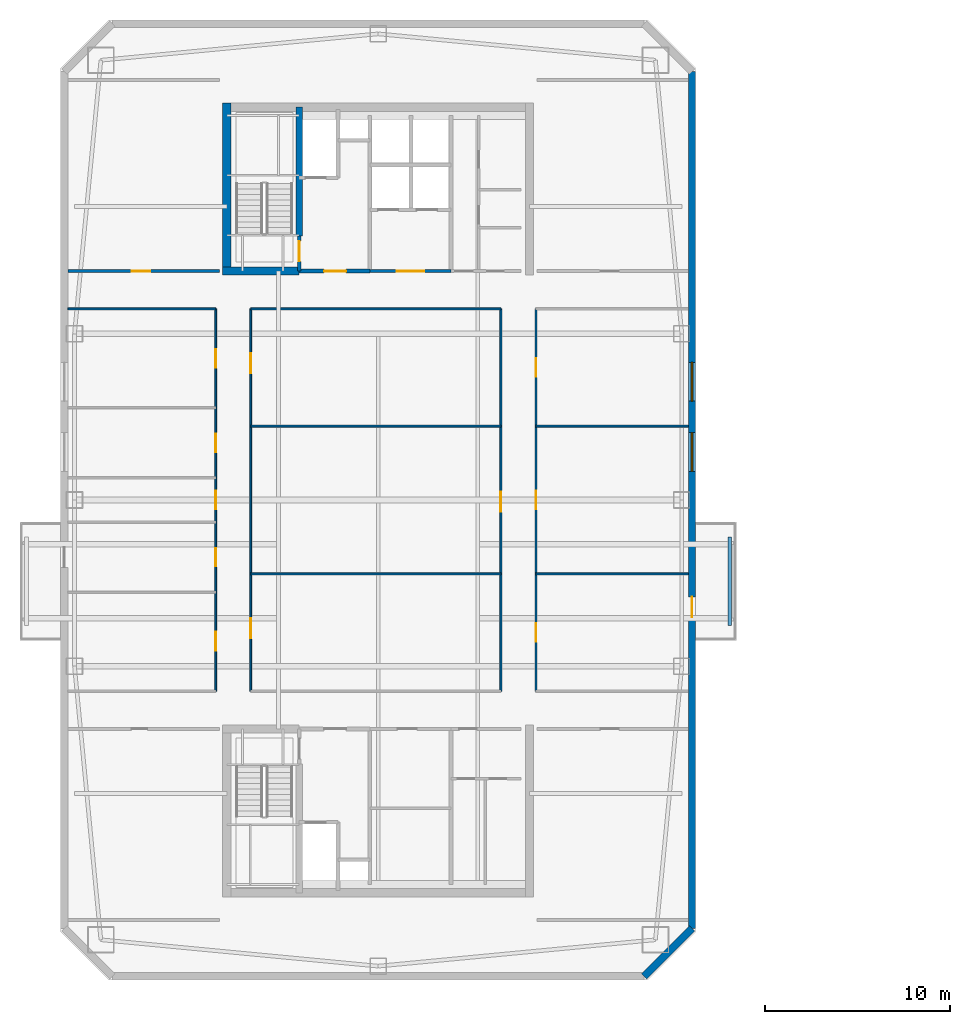
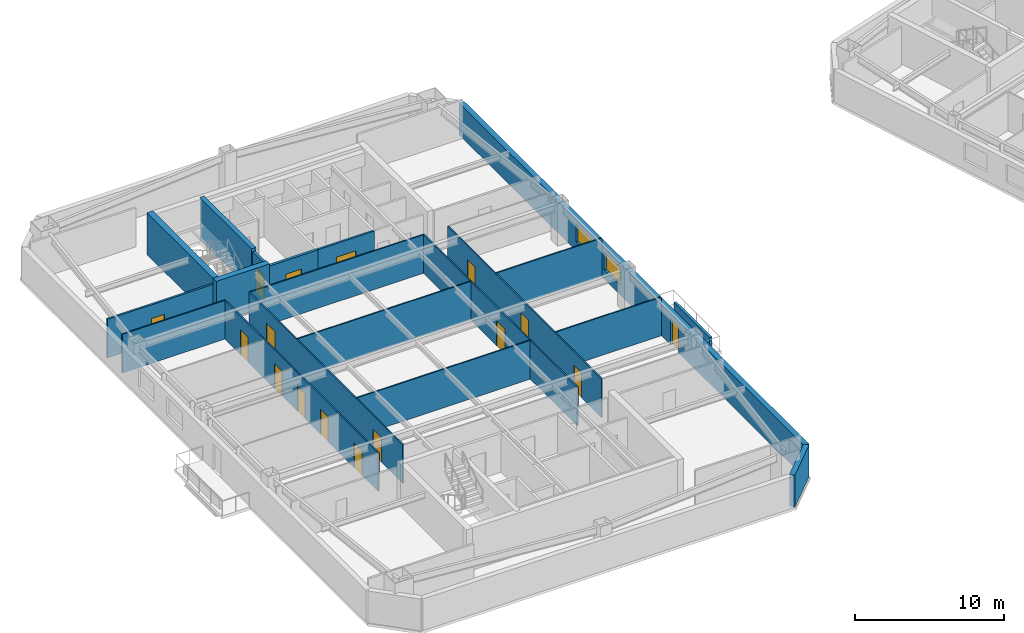
# One storey, part 6 of 15: 20 walls, 16 doors, 2 windows, 18 openings.
"""IFC4 building model written with IfcOpenShell, lengths in metres."""

from ifc_helpers import new_model, si_unit, direction, frame, frame_2d, origin, place, context, subcontext, project, spatial, rectangle, extrude, material, layer, layer_set, type_object, element, fill, save


model = new_model("IFC4")

# Units and contexts
model_context = context("Model", 3, precision=1e-05, world=origin(), true_north=direction((0.0, 1.0)))
body_context = subcontext(model_context, "Body", "Model", "MODEL_VIEW")
ifc_project = project(units=[si_unit("LENGTHUNIT", "METRE"), si_unit("AREAUNIT", "SQUARE_METRE"), si_unit("VOLUMEUNIT", "CUBIC_METRE"), si_unit("PLANEANGLEUNIT", "RADIAN"), si_unit("MASSUNIT", "GRAM", prefix="KILO")], contexts=[model_context])

# Site, building, storey
site_placement = place(None, origin())
site = spatial("IfcSite", under=ifc_project, at=site_placement, CompositionType="ELEMENT")
building_placement = place(site_placement, origin())
building = spatial("IfcBuilding", under=site, at=building_placement, Name="Qiaolan Cultural Towers", CompositionType="ELEMENT")
storey_placement = place(building_placement, frame((0.0, 0.0, 209.300048828125)))
storey = spatial("IfcBuildingStorey", under=building, at=storey_placement, Name="L56", CompositionType="ELEMENT", Elevation=209.300048828125)

# Walls
ifc_material_1 = material(Name="Concrete C50", Category="concrete")
ifc_layer_1 = layer(ifc_material_1, 0.35009765625)
ifc_layer_set_1 = layer_set([ifc_layer_1], Name="Concrete C50")
wall_type_1 = type_object("IfcWallType", Name="WL-CORE-350", PredefinedType="SHEAR", material=ifc_layer_set_1)
wall_1_placement = place(storey_placement, frame((25.719970703125, 48.300048828125, 0.0), z_axis=(0.0, 0.0, 1.0), x_axis=(0.0, 1.0, 0.0)))
element("IfcWall", 1, at=wall_1_placement, inside=storey, type_object=wall_type_1, Name="L56 T1-CN Stair Core Dividing Web", PredefinedType="SHEAR", context=body_context, shape_type="SweptSolid", body=[
    extrude(rectangle(XDim=6.97998046875, YDim=0.35009765625, at=frame_2d((3.489990234375, 0.0))), origin(), (0.0, 0.0, 1.0), 3.449951171875),
])
ifc_material_2 = material(Name="Concrete C50", Category="concrete")
ifc_layer_2 = layer(ifc_material_2, 0.449951171875)
ifc_layer_set_2 = layer_set([ifc_layer_2], Name="Concrete C50")
wall_type_2 = type_object("IfcWallType", Name="WL-CORE-450", PredefinedType="SHEAR", material=ifc_layer_set_2)
wall_2_placement = place(storey_placement, frame((21.800048828125, 46.175048828125, 0.0), z_axis=(0.0, 0.0, 1.0), x_axis=(0.0, 1.0, 0.0)))
element("IfcWall", 2, at=wall_2_placement, inside=storey, type_object=wall_type_2, Name="L56 T1-CN West Core Shear Wall", PredefinedType="SHEAR", context=body_context, shape_type="SweptSolid", body=[
    extrude(rectangle(XDim=9.329833984375, YDim=0.449951171875, at=frame_2d((4.6650390625, 0.0))), origin(), (0.0, 0.0, 1.0), 3.449951171875),
])
wall_3_placement = place(storey_placement, frame((21.574951171875, 46.39990234375, 0.0), z_axis=(0.0, 0.0, 1.0), x_axis=(1.0, 0.0, 0.0)))
element("IfcWall", 3, at=wall_3_placement, inside=storey, type_object=wall_type_2, Name="L56 T1-CN Stair Front Shear Wall", PredefinedType="SHEAR", context=body_context, shape_type="SweptSolid", body=[
    extrude(rectangle(XDim=4.14501953125, YDim=0.449951171875, at=frame_2d((2.072509765625, 0.0))), origin(), (0.0, 0.0, 1.0), 3.449951171875),
])

# Wall, openings, door, windows
ifc_material_3 = material(Name="Precast Concrete C50 Honed Stone Pier", Category="masonry")
ifc_layer_3 = layer(ifc_material_3, 0.39990234375)
ifc_layer_set_3 = layer_set([ifc_layer_3], Name="Precast Concrete C50 Honed Stone Pier")
wall_type_3 = type_object("IfcWallType", Name="WL-EXT-PIER-400", PredefinedType="SOLIDWALL", material=ifc_layer_set_3)
wall_4_placement = place(storey_placement, frame((47.0, 57.199951171875, 0.0), z_axis=(0.0, 0.0, 1.0), x_axis=(0.0, -1.0, 0.0)))
wall_4 = element("IfcWall", 4, at=wall_4_placement, inside=storey, type_object=wall_type_3, Name="L56 West Tower Precast Pier Facade Wall F5", PredefinedType="SOLIDWALL", context=body_context, shape_type="SweptSolid", body=[
    extrude(rectangle(XDim=46.39990234375, YDim=0.39990234375, at=frame_2d((23.199951171875, 0.0))), origin(), (0.0, 0.0, 1.0), 2.60986328125),
])
opening_1_placement = place(wall_4_placement, frame((19.550048828125, 0.0, 0.75)))
opening_1 = element("IfcOpeningElement", 5, at=opening_1_placement, cuts=wall_4, Name="Opening W-05", PredefinedType="OPENING", context=body_context, shape_type="SweptSolid", body=[
    extrude(rectangle(XDim=2.10009765625, YDim=1.4599609375, at=frame_2d((1.050048828125, 0.72998046875))), frame((0.0, 0.2099609375, 0.0), z_axis=(0.0, -1.0, 0.0), x_axis=(1.0, 0.0, 0.0)), (0.0, 0.0, 1.0), 0.419921875),
])
opening_2_placement = place(wall_4_placement, frame((15.75, 0.0, 0.75)))
opening_2 = element("IfcOpeningElement", 6, at=opening_2_placement, cuts=wall_4, Name="Opening W-05", PredefinedType="OPENING", context=body_context, shape_type="SweptSolid", body=[
    extrude(rectangle(XDim=2.10009765625, YDim=1.4599609375, at=frame_2d((1.050048828125, 0.72998046875))), frame((0.0, 0.2099609375, 0.0), z_axis=(0.0, -1.0, 0.0), x_axis=(1.0, 0.0, 0.0)), (0.0, 0.0, 1.0), 0.419921875),
])
opening_3_placement = place(wall_4_placement, frame((28.449951171875, 0.0, 0.0)))
opening_3 = element("IfcOpeningElement", 7, at=opening_3_placement, cuts=wall_4, Name="Opening BD-01", PredefinedType="OPENING", context=body_context, shape_type="SweptSolid", body=[
    extrude(rectangle(XDim=1.10009765625, YDim=2.14990234375, at=frame_2d((0.550048828125, 1.074951171875))), frame((0.0, 0.2099609375, 0.0), z_axis=(0.0, -1.0, 0.0), x_axis=(1.0, 0.0, 0.0)), (0.0, 0.0, 1.0), 0.419921875),
])
ifc_material_4 = material(Name="Thermally Broken Aluminium Glazed Terrace Door", Category="aluminium")
door_type_1 = type_object("IfcDoorType", Name="DR-BAL-1100", OperationType="NOTDEFINED", PredefinedType="DOOR", material=ifc_material_4)
door_1_placement = place(opening_3_placement, origin())
door_1 = element("IfcDoor", 8, at=door_1_placement, inside=storey, type_object=door_type_1, Name="L56 T1 East Tree Balcony Door", OperationType="SINGLE_SWING_RIGHT", OverallHeight=2.14990234375, OverallWidth=1.10009765625, PredefinedType="DOOR", context=body_context, shape_type="SweptSolid", body=[
    extrude(rectangle(XDim=1.10009765625, YDim=2.14990234375, at=frame_2d((0.550048828125, 1.074951171875))), frame((0.0, 0.02490234375, 0.0), z_axis=(0.0, -1.0, 0.0), x_axis=(1.0, 0.0, 0.0)), (0.0, 0.0, 1.0), 0.050048828125),
])
fill(opening_3, door_1)
ifc_material_5 = material(Name="Thermally Broken Aluminium Triple Low-E Glazing", Category="aluminium")
window_type = type_object("IfcWindowType", Name="WN-CHIC-2100", PartitioningType="SINGLE_PANEL", PredefinedType="WINDOW", material=ifc_material_5)
window_1_placement = place(opening_1_placement, origin())
window_1 = element("IfcWindow", 9, at=window_1_placement, inside=storey, type_object=window_type, Name="L56 T1 E Chicago Bay Window 1", OverallHeight=1.4599609375, OverallWidth=2.10009765625, PartitioningType="TRIPLE_PANEL_VERTICAL", PredefinedType="WINDOW", context=body_context, shape_type="SweptSolid", body=[
    extrude(rectangle(XDim=2.10009765625, YDim=1.4599609375, at=frame_2d((1.050048828125, 0.72998046875))), frame((0.0, 0.030029296875, 0.0), z_axis=(0.0, -1.0, 0.0), x_axis=(1.0, 0.0, 0.0)), (0.0, 0.0, 1.0), 0.06005859375),
])
fill(opening_1, window_1)
window_2_placement = place(opening_2_placement, origin())
window_2 = element("IfcWindow", 10, at=window_2_placement, inside=storey, type_object=window_type, Name="L56 T1 E Chicago Bay Window 2", OverallHeight=1.4599609375, OverallWidth=2.10009765625, PartitioningType="TRIPLE_PANEL_VERTICAL", PredefinedType="WINDOW", context=body_context, shape_type="SweptSolid", body=[
    extrude(rectangle(XDim=2.10009765625, YDim=1.4599609375, at=frame_2d((1.050048828125, 0.72998046875))), frame((0.0, 0.030029296875, 0.0), z_axis=(0.0, -1.0, 0.0), x_axis=(1.0, 0.0, 0.0)), (0.0, 0.0, 1.0), 0.06005859375),
])
fill(opening_2, window_2)

# Wall
wall_5_placement = place(storey_placement, frame((47.0, 10.800048828125, 0.0), z_axis=(0.0, 0.0, 1.0), x_axis=(-0.707106781187, -0.707106781187, 0.0)))
element("IfcWall", 11, at=wall_5_placement, inside=storey, type_object=wall_type_3, Name="L56 West Tower Precast Pier Facade Wall F6", PredefinedType="SOLIDWALL", context=body_context, shape_type="SweptSolid", body=[
    extrude(rectangle(XDim=3.677001953125, YDim=0.39990234375, at=frame_2d((1.83837890625, 0.0))), origin(), (0.0, 0.0, 1.0), 2.60986328125),
])

# Wall, opening, door
ifc_material_6 = material(Name="Concrete C35 Fire Wall", Category="concrete")
ifc_layer_4 = layer(ifc_material_6, 0.199951171875)
ifc_layer_set_4 = layer_set([ifc_layer_4], Name="Concrete C35 Fire Wall")
wall_type_4 = type_object("IfcWallType", Name="WL-FIRE-200", PredefinedType="PARTITIONING", material=ifc_layer_set_4)
wall_6_placement = place(storey_placement, frame((25.719970703125, 46.39990234375, 0.0), z_axis=(0.0, 0.0, 1.0), x_axis=(0.0, 1.0, 0.0)))
wall_6 = element("IfcWall", 12, at=wall_6_placement, inside=storey, type_object=wall_type_4, Name="L56 T1-CN Smokeproof Stair Entry Wall", PredefinedType="PARTITIONING", context=body_context, shape_type="SweptSolid", body=[
    extrude(rectangle(XDim=1.900146484375, YDim=0.199951171875, at=frame_2d((0.9501953125, 0.0))), origin(), (0.0, 0.0, 1.0), 3.175048828125),
])
opening_4_placement = place(wall_6_placement, frame((0.52001953125, 0.0, 0.0)))
opening_4 = element("IfcOpeningElement", 13, at=opening_4_placement, cuts=wall_6, Name="Opening FD-04", PredefinedType="OPENING", context=body_context, shape_type="SweptSolid", body=[
    extrude(rectangle(XDim=1.10009765625, YDim=2.050048828125, at=frame_2d((0.550048828125, 1.02490234375))), frame((0.0, 0.10986328125, 0.0), z_axis=(0.0, -1.0, 0.0), x_axis=(1.0, 0.0, 0.0)), (0.0, 0.0, 1.0), 0.219970703125),
])
ifc_material_7 = material(Name="Galvanized Steel Command Fire Door", Category="steel")
door_type_2 = type_object("IfcDoorType", Name="DR-FD90-1100", OperationType="NOTDEFINED", PredefinedType="DOOR", material=ifc_material_7)
door_2_placement = place(opening_4_placement, origin())
door_2 = element("IfcDoor", 14, at=door_2_placement, inside=storey, type_object=door_type_2, Name="L56 ST-W2 Smokeproof Stair Fire Door", OperationType="SINGLE_SWING_LEFT", OverallHeight=2.050048828125, OverallWidth=1.10009765625, PredefinedType="DOOR", context=body_context, shape_type="SweptSolid", body=[
    extrude(rectangle(XDim=1.10009765625, YDim=2.050048828125, at=frame_2d((0.550048828125, 1.02490234375))), frame((0.0, 0.02490234375, 0.0), z_axis=(0.0, -1.0, 0.0), x_axis=(1.0, 0.0, 0.0)), (0.0, 0.0, 1.0), 0.050048828125),
])
fill(opening_4, door_2)

wall_7_placement = place(storey_placement, frame((25.719970703125, 46.39990234375, 0.0), z_axis=(0.0, 0.0, 1.0), x_axis=(1.0, 0.0, 0.0)))
wall_7 = element("IfcWall", 15, at=wall_7_placement, inside=storey, type_object=wall_type_4, Name="L56 T1-CN Firefighting Lobby Front Wall", PredefinedType="PARTITIONING", context=body_context, shape_type="SweptSolid", body=[
    extrude(rectangle(XDim=3.830078125, YDim=0.199951171875, at=frame_2d((1.9150390625, 0.0))), origin(), (0.0, 0.0, 1.0), 3.175048828125),
])
opening_5_placement = place(wall_7_placement, frame((1.35009765625, 0.0, 0.0)))
opening_5 = element("IfcOpeningElement", 16, at=opening_5_placement, cuts=wall_7, Name="Opening FD-03", PredefinedType="OPENING", context=body_context, shape_type="SweptSolid", body=[
    extrude(rectangle(XDim=1.199951171875, YDim=2.050048828125, at=frame_2d((0.60009765625, 1.02490234375))), frame((0.0, 0.10986328125, 0.0), z_axis=(0.0, -1.0, 0.0), x_axis=(1.0, 0.0, 0.0)), (0.0, 0.0, 1.0), 0.219970703125),
])
ifc_material_8 = material(Name="Galvanized Steel Smokeproof Lobby Fire Door", Category="steel")
door_type_3 = type_object("IfcDoorType", Name="DR-FD90-1200", OperationType="NOTDEFINED", PredefinedType="DOOR", material=ifc_material_8)
door_3_placement = place(opening_5_placement, origin())
door_3 = element("IfcDoor", 17, at=door_3_placement, inside=storey, type_object=door_type_3, Name="L56 FFL-W2 Firefighting Lobby Fire Door", OperationType="SINGLE_SWING_LEFT", OverallHeight=2.050048828125, OverallWidth=1.199951171875, PredefinedType="DOOR", context=body_context, shape_type="SweptSolid", body=[
    extrude(rectangle(XDim=1.199951171875, YDim=2.050048828125, at=frame_2d((0.60009765625, 1.02490234375))), frame((0.0, 0.02490234375, 0.0), z_axis=(0.0, -1.0, 0.0), x_axis=(1.0, 0.0, 0.0)), (0.0, 0.0, 1.0), 0.050048828125),
])
fill(opening_5, door_3)

# Walls
ifc_material_9 = material(Name="Acoustic Double-Glazed Partition Frame", Category="glass")
ifc_layer_5 = layer(ifc_material_9, 0.10009765625)
ifc_layer_set_5 = layer_set([ifc_layer_5], Name="Acoustic Double-Glazed Partition Frame")
wall_type_5 = type_object("IfcWallType", Name="WL-GLAZED-100", PredefinedType="MOVABLE", material=ifc_layer_set_5)
wall_8_placement = place(storey_placement, frame((13.199951171875, 44.35009765625, 0.0), z_axis=(0.0, 0.0, 1.0), x_axis=(1.0, 0.0, 0.0)))
element("IfcWall", 18, at=wall_8_placement, inside=storey, type_object=wall_type_5, Name="L56 T1 Interior Wall", PredefinedType="MOVABLE", context=body_context, shape_type="SweptSolid", body=[
    extrude(rectangle(XDim=8.0, YDim=0.10009765625, at=frame_2d((4.0, 0.0))), origin(), (0.0, 0.0, 1.0), 3.175048828125),
])
wall_9_placement = place(storey_placement, frame((23.10009765625, 44.35009765625, 0.0), z_axis=(0.0, 0.0, 1.0), x_axis=(1.0, 0.0, 0.0)))
element("IfcWall", 19, at=wall_9_placement, inside=storey, type_object=wall_type_5, Name="L56 T1 Interior Wall", PredefinedType="MOVABLE", context=body_context, shape_type="SweptSolid", body=[
    extrude(rectangle(XDim=13.5498046875, YDim=0.10009765625, at=frame_2d((6.77490234375, 0.0))), origin(), (0.0, 0.0, 1.0), 3.175048828125),
])

# Wall, openings, doors
wall_10_placement = place(storey_placement, frame((21.199951171875, 23.64990234375, 0.0), z_axis=(0.0, 0.0, 1.0), x_axis=(0.0, 1.0, 0.0)))
wall_10 = element("IfcWall", 20, at=wall_10_placement, inside=storey, type_object=wall_type_5, Name="L56 T1 Interior Wall", PredefinedType="MOVABLE", context=body_context, shape_type="SweptSolid", body=[
    extrude(rectangle(XDim=20.7001953125, YDim=0.10009765625, at=frame_2d((10.35009765625, 0.0))), origin(), (0.0, 0.0, 1.0), 3.175048828125),
])
opening_6_placement = place(wall_10_placement, frame((2.175048828125, 0.0, 0.0)))
opening_6 = element("IfcOpeningElement", 21, at=opening_6_placement, cuts=wall_10, Name="Opening ID-07", PredefinedType="OPENING", context=body_context, shape_type="SweptSolid", body=[
    extrude(rectangle(XDim=1.050048828125, YDim=2.050048828125, at=frame_2d((0.52490234375, 1.02490234375))), frame((0.0, 0.06005859375, 0.0), z_axis=(0.0, -1.0, 0.0), x_axis=(1.0, 0.0, 0.0)), (0.0, 0.0, 1.0), 0.1201171875),
])
opening_7_placement = place(wall_10_placement, frame((6.75, 0.0, 0.0)))
opening_7 = element("IfcOpeningElement", 22, at=opening_7_placement, cuts=wall_10, Name="Opening ID-04", PredefinedType="OPENING", context=body_context, shape_type="SweptSolid", body=[
    extrude(rectangle(XDim=1.0, YDim=2.050048828125, at=frame_2d((0.5, 1.02490234375))), frame((0.0, 0.06005859375, 0.0), z_axis=(0.0, -1.0, 0.0), x_axis=(1.0, 0.0, 0.0)), (0.0, 0.0, 1.0), 0.1201171875),
])
opening_8_placement = place(wall_10_placement, frame((9.85009765625, 0.0, 0.0)))
opening_8 = element("IfcOpeningElement", 23, at=opening_8_placement, cuts=wall_10, Name="Opening ID-04", PredefinedType="OPENING", context=body_context, shape_type="SweptSolid", body=[
    extrude(rectangle(XDim=1.0, YDim=2.050048828125, at=frame_2d((0.5, 1.02490234375))), frame((0.0, 0.06005859375, 0.0), z_axis=(0.0, -1.0, 0.0), x_axis=(1.0, 0.0, 0.0)), (0.0, 0.0, 1.0), 0.1201171875),
])
opening_9_placement = place(wall_10_placement, frame((12.949951171875, 0.0, 0.0)))
opening_9 = element("IfcOpeningElement", 24, at=opening_9_placement, cuts=wall_10, Name="Opening ID-04", PredefinedType="OPENING", context=body_context, shape_type="SweptSolid", body=[
    extrude(rectangle(XDim=1.0, YDim=2.050048828125, at=frame_2d((0.5, 1.02490234375))), frame((0.0, 0.06005859375, 0.0), z_axis=(0.0, -1.0, 0.0), x_axis=(1.0, 0.0, 0.0)), (0.0, 0.0, 1.0), 0.1201171875),
])
opening_10_placement = place(wall_10_placement, frame((17.52490234375, 0.0, 0.0)))
opening_10 = element("IfcOpeningElement", 25, at=opening_10_placement, cuts=wall_10, Name="Opening ID-04", PredefinedType="OPENING", context=body_context, shape_type="SweptSolid", body=[
    extrude(rectangle(XDim=1.0, YDim=2.050048828125, at=frame_2d((0.5, 1.02490234375))), frame((0.0, 0.06005859375, 0.0), z_axis=(0.0, -1.0, 0.0), x_axis=(1.0, 0.0, 0.0)), (0.0, 0.0, 1.0), 0.1201171875),
])
ifc_material_10 = material(Name="Oak Veneer Acoustic Office Door", Category="timber")
door_type_4 = type_object("IfcDoorType", Name="DR-INT-1000", OperationType="NOTDEFINED", PredefinedType="DOOR", material=ifc_material_10)
door_4_placement = place(opening_7_placement, origin())
door_4 = element("IfcDoor", 26, at=door_4_placement, inside=storey, type_object=door_type_4, Name="L56 T1 Wellness & Meditation Room Door", OperationType="SINGLE_SWING_RIGHT", OverallHeight=2.050048828125, OverallWidth=1.0, PredefinedType="DOOR", context=body_context, shape_type="SweptSolid", body=[
    extrude(rectangle(XDim=1.0, YDim=2.050048828125, at=frame_2d((0.5, 1.02490234375))), frame((0.0, 0.02490234375, 0.0), z_axis=(0.0, -1.0, 0.0), x_axis=(1.0, 0.0, 0.0)), (0.0, 0.0, 1.0), 0.050048828125),
])
fill(opening_7, door_4)
door_5_placement = place(opening_8_placement, origin())
door_5 = element("IfcDoor", 27, at=door_5_placement, inside=storey, type_object=door_type_4, Name="L56 T1 Tea Preparation Room Door", OperationType="SINGLE_SWING_LEFT", OverallHeight=2.050048828125, OverallWidth=1.0, PredefinedType="DOOR", context=body_context, shape_type="SweptSolid", body=[
    extrude(rectangle(XDim=1.0, YDim=2.050048828125, at=frame_2d((0.5, 1.02490234375))), frame((0.0, 0.02490234375, 0.0), z_axis=(0.0, -1.0, 0.0), x_axis=(1.0, 0.0, 0.0)), (0.0, 0.0, 1.0), 0.050048828125),
])
fill(opening_8, door_5)
door_6_placement = place(opening_9_placement, origin())
door_6 = element("IfcDoor", 28, at=door_6_placement, inside=storey, type_object=door_type_4, Name="L56 T1 Tea Preparation Room Door", OperationType="SINGLE_SWING_RIGHT", OverallHeight=2.050048828125, OverallWidth=1.0, PredefinedType="DOOR", context=body_context, shape_type="SweptSolid", body=[
    extrude(rectangle(XDim=1.0, YDim=2.050048828125, at=frame_2d((0.5, 1.02490234375))), frame((0.0, 0.02490234375, 0.0), z_axis=(0.0, -1.0, 0.0), x_axis=(1.0, 0.0, 0.0)), (0.0, 0.0, 1.0), 0.050048828125),
])
fill(opening_9, door_6)
door_7_placement = place(opening_10_placement, origin())
door_7 = element("IfcDoor", 29, at=door_7_placement, inside=storey, type_object=door_type_4, Name="L56 T1 Quiet Lounge Door", OperationType="SINGLE_SWING_LEFT", OverallHeight=2.050048828125, OverallWidth=1.0, PredefinedType="DOOR", context=body_context, shape_type="SweptSolid", body=[
    extrude(rectangle(XDim=1.0, YDim=2.050048828125, at=frame_2d((0.5, 1.02490234375))), frame((0.0, 0.02490234375, 0.0), z_axis=(0.0, -1.0, 0.0), x_axis=(1.0, 0.0, 0.0)), (0.0, 0.0, 1.0), 0.050048828125),
])
fill(opening_10, door_7)
ifc_material_11 = material(Name="Oak Veneer Consultation Door", Category="timber")
door_type_5 = type_object("IfcDoorType", Name="DR-INT-1050", OperationType="NOTDEFINED", PredefinedType="DOOR", material=ifc_material_11)
door_8_placement = place(opening_6_placement, origin())
door_8 = element("IfcDoor", 30, at=door_8_placement, inside=storey, type_object=door_type_5, Name="L56 T1 Wellness & Meditation Room Door", OperationType="SINGLE_SWING_LEFT", OverallHeight=2.050048828125, OverallWidth=1.050048828125, PredefinedType="DOOR", context=body_context, shape_type="SweptSolid", body=[
    extrude(rectangle(XDim=1.050048828125, YDim=2.050048828125, at=frame_2d((0.52490234375, 1.02490234375))), frame((0.0, 0.02490234375, 0.0), z_axis=(0.0, -1.0, 0.0), x_axis=(1.0, 0.0, 0.0)), (0.0, 0.0, 1.0), 0.050048828125),
])
fill(opening_6, door_8)

wall_11_placement = place(storey_placement, frame((23.10009765625, 23.64990234375, 0.0), z_axis=(0.0, 0.0, 1.0), x_axis=(0.0, 1.0, 0.0)))
wall_11 = element("IfcWall", 31, at=wall_11_placement, inside=storey, type_object=wall_type_5, Name="L56 T1 Interior Wall", PredefinedType="MOVABLE", context=body_context, shape_type="SweptSolid", body=[
    extrude(rectangle(XDim=20.7001953125, YDim=0.10009765625, at=frame_2d((10.35009765625, 0.0))), origin(), (0.0, 0.0, 1.0), 3.175048828125),
])
opening_11_placement = place(wall_11_placement, frame((2.857421875, 0.0, 0.0)))
opening_11 = element("IfcOpeningElement", 32, at=opening_11_placement, cuts=wall_11, Name="Opening ID-03", PredefinedType="OPENING", context=body_context, shape_type="SweptSolid", body=[
    extrude(rectangle(XDim=1.10009765625, YDim=2.050048828125, at=frame_2d((0.550048828125, 1.02490234375))), frame((0.0, 0.06005859375, 0.0), z_axis=(0.0, -1.0, 0.0), x_axis=(1.0, 0.0, 0.0)), (0.0, 0.0, 1.0), 0.1201171875),
])
opening_12_placement = place(wall_11_placement, frame((17.20751953125, 0.0, 0.0)))
opening_12 = element("IfcOpeningElement", 33, at=opening_12_placement, cuts=wall_11, Name="Opening ID-03", PredefinedType="OPENING", context=body_context, shape_type="SweptSolid", body=[
    extrude(rectangle(XDim=1.10009765625, YDim=2.050048828125, at=frame_2d((0.550048828125, 1.02490234375))), frame((0.0, 0.06005859375, 0.0), z_axis=(0.0, -1.0, 0.0), x_axis=(1.0, 0.0, 0.0)), (0.0, 0.0, 1.0), 0.1201171875),
])
ifc_material_12 = material(Name="Oak Veneer Solid-Core Boardroom Door", Category="timber")
door_type_6 = type_object("IfcDoorType", Name="DR-INT-1100", OperationType="NOTDEFINED", PredefinedType="DOOR", material=ifc_material_12)
door_9_placement = place(opening_11_placement, origin())
door_9 = element("IfcDoor", 34, at=door_9_placement, inside=storey, type_object=door_type_6, Name="L56 T1 Central Boardroom Door", OperationType="SINGLE_SWING_LEFT", OverallHeight=2.050048828125, OverallWidth=1.10009765625, PredefinedType="DOOR", context=body_context, shape_type="SweptSolid", body=[
    extrude(rectangle(XDim=1.10009765625, YDim=2.050048828125, at=frame_2d((0.550048828125, 1.02490234375))), frame((0.0, 0.02490234375, 0.0), z_axis=(0.0, -1.0, 0.0), x_axis=(1.0, 0.0, 0.0)), (0.0, 0.0, 1.0), 0.050048828125),
])
fill(opening_11, door_9)
door_10_placement = place(opening_12_placement, origin())
door_10 = element("IfcDoor", 35, at=door_10_placement, inside=storey, type_object=door_type_6, Name="L56 T1 Central Archive Room Door", OperationType="SINGLE_SWING_RIGHT", OverallHeight=2.050048828125, OverallWidth=1.10009765625, PredefinedType="DOOR", context=body_context, shape_type="SweptSolid", body=[
    extrude(rectangle(XDim=1.10009765625, YDim=2.050048828125, at=frame_2d((0.550048828125, 1.02490234375))), frame((0.0, 0.02490234375, 0.0), z_axis=(0.0, -1.0, 0.0), x_axis=(1.0, 0.0, 0.0)), (0.0, 0.0, 1.0), 0.050048828125),
])
fill(opening_12, door_10)

# Wall, opening, door
wall_12_placement = place(storey_placement, frame((36.64990234375, 23.64990234375, 0.0), z_axis=(0.0, 0.0, 1.0), x_axis=(0.0, 1.0, 0.0)))
wall_12 = element("IfcWall", 36, at=wall_12_placement, inside=storey, type_object=wall_type_5, Name="L56 T1 Interior Wall", PredefinedType="MOVABLE", context=body_context, shape_type="SweptSolid", body=[
    extrude(rectangle(XDim=20.7001953125, YDim=0.10009765625, at=frame_2d((10.35009765625, 0.0))), origin(), (0.0, 0.0, 1.0), 3.175048828125),
])
opening_13_placement = place(wall_12_placement, frame((9.7099609375, 0.0, 0.0)))
opening_13 = element("IfcOpeningElement", 37, at=opening_13_placement, cuts=wall_12, Name="Opening ID-03", PredefinedType="OPENING", context=body_context, shape_type="SweptSolid", body=[
    extrude(rectangle(XDim=1.10009765625, YDim=2.050048828125, at=frame_2d((0.550048828125, 1.02490234375))), frame((0.0, 0.06005859375, 0.0), z_axis=(0.0, -1.0, 0.0), x_axis=(1.0, 0.0, 0.0)), (0.0, 0.0, 1.0), 0.1201171875),
])
door_11_placement = place(opening_13_placement, origin())
door_11 = element("IfcDoor", 38, at=door_11_placement, inside=storey, type_object=door_type_6, Name="L56 T1 Central Study Salon Door", OperationType="SINGLE_SWING_LEFT", OverallHeight=2.050048828125, OverallWidth=1.10009765625, PredefinedType="DOOR", context=body_context, shape_type="SweptSolid", body=[
    extrude(rectangle(XDim=1.10009765625, YDim=2.050048828125, at=frame_2d((0.550048828125, 1.02490234375))), frame((0.0, 0.02490234375, 0.0), z_axis=(0.0, -1.0, 0.0), x_axis=(1.0, 0.0, 0.0)), (0.0, 0.0, 1.0), 0.050048828125),
])
fill(opening_13, door_11)

# Wall, openings, doors
wall_13_placement = place(storey_placement, frame((38.550048828125, 23.64990234375, 0.0), z_axis=(0.0, 0.0, 1.0), x_axis=(0.0, 1.0, 0.0)))
wall_13 = element("IfcWall", 39, at=wall_13_placement, inside=storey, type_object=wall_type_5, Name="L56 T1 Interior Wall", PredefinedType="MOVABLE", context=body_context, shape_type="SweptSolid", body=[
    extrude(rectangle(XDim=20.7001953125, YDim=0.10009765625, at=frame_2d((10.35009765625, 0.0))), origin(), (0.0, 0.0, 1.0), 3.175048828125),
])
opening_14_placement = place(wall_13_placement, frame((2.675048828125, 0.0, 0.0)))
opening_14 = element("IfcOpeningElement", 40, at=opening_14_placement, cuts=wall_13, Name="Opening ID-04", PredefinedType="OPENING", context=body_context, shape_type="SweptSolid", body=[
    extrude(rectangle(XDim=1.0, YDim=2.050048828125, at=frame_2d((0.5, 1.02490234375))), frame((0.0, 0.06005859375, 0.0), z_axis=(0.0, -1.0, 0.0), x_axis=(1.0, 0.0, 0.0)), (0.0, 0.0, 1.0), 0.1201171875),
])
opening_15_placement = place(wall_13_placement, frame((9.85009765625, 0.0, 0.0)))
opening_15 = element("IfcOpeningElement", 41, at=opening_15_placement, cuts=wall_13, Name="Opening ID-04", PredefinedType="OPENING", context=body_context, shape_type="SweptSolid", body=[
    extrude(rectangle(XDim=1.0, YDim=2.050048828125, at=frame_2d((0.5, 1.02490234375))), frame((0.0, 0.06005859375, 0.0), z_axis=(0.0, -1.0, 0.0), x_axis=(1.0, 0.0, 0.0)), (0.0, 0.0, 1.0), 0.1201171875),
])
opening_16_placement = place(wall_13_placement, frame((17.02490234375, 0.0, 0.0)))
opening_16 = element("IfcOpeningElement", 42, at=opening_16_placement, cuts=wall_13, Name="Opening ID-04", PredefinedType="OPENING", context=body_context, shape_type="SweptSolid", body=[
    extrude(rectangle(XDim=1.0, YDim=2.050048828125, at=frame_2d((0.5, 1.02490234375))), frame((0.0, 0.06005859375, 0.0), z_axis=(0.0, -1.0, 0.0), x_axis=(1.0, 0.0, 0.0)), (0.0, 0.0, 1.0), 0.1201171875),
])
door_12_placement = place(opening_14_placement, origin())
door_12 = element("IfcDoor", 43, at=door_12_placement, inside=storey, type_object=door_type_4, Name="L56 T1 Research Director Office Door", OperationType="SINGLE_SWING_RIGHT", OverallHeight=2.050048828125, OverallWidth=1.0, PredefinedType="DOOR", context=body_context, shape_type="SweptSolid", body=[
    extrude(rectangle(XDim=1.0, YDim=2.050048828125, at=frame_2d((0.5, 1.02490234375))), frame((0.0, 0.02490234375, 0.0), z_axis=(0.0, -1.0, 0.0), x_axis=(1.0, 0.0, 0.0)), (0.0, 0.0, 1.0), 0.050048828125),
])
fill(opening_14, door_12)
door_13_placement = place(opening_15_placement, origin())
door_13 = element("IfcDoor", 44, at=door_13_placement, inside=storey, type_object=door_type_4, Name="L56 T1 Strategy Meeting Room Door", OperationType="SINGLE_SWING_LEFT", OverallHeight=2.050048828125, OverallWidth=1.0, PredefinedType="DOOR", context=body_context, shape_type="SweptSolid", body=[
    extrude(rectangle(XDim=1.0, YDim=2.050048828125, at=frame_2d((0.5, 1.02490234375))), frame((0.0, 0.02490234375, 0.0), z_axis=(0.0, -1.0, 0.0), x_axis=(1.0, 0.0, 0.0)), (0.0, 0.0, 1.0), 0.050048828125),
])
fill(opening_15, door_13)
door_14_placement = place(opening_16_placement, origin())
door_14 = element("IfcDoor", 45, at=door_14_placement, inside=storey, type_object=door_type_4, Name="L56 T1 Gallery Salon Door", OperationType="SINGLE_SWING_RIGHT", OverallHeight=2.050048828125, OverallWidth=1.0, PredefinedType="DOOR", context=body_context, shape_type="SweptSolid", body=[
    extrude(rectangle(XDim=1.0, YDim=2.050048828125, at=frame_2d((0.5, 1.02490234375))), frame((0.0, 0.02490234375, 0.0), z_axis=(0.0, -1.0, 0.0), x_axis=(1.0, 0.0, 0.0)), (0.0, 0.0, 1.0), 0.050048828125),
])
fill(opening_16, door_14)

# Walls
for number, where, z_axis, x_axis, name in (
    (46, (23.10009765625, 30.0, 0.0), (0.0, 0.0, 1.0), (1.0, 0.0, 0.0), "L56 T1 Interior Wall"),
    (47, (23.10009765625, 38.0, 0.0), (0.0, 0.0, 1.0), (1.0, 0.0, 0.0), "L56 T1 Interior Wall"),
):
    element("IfcWall", number, at=place(storey_placement, frame(where, z_axis=z_axis, x_axis=x_axis)), inside=storey, type_object=wall_type_5, Name=name, PredefinedType="MOVABLE", context=body_context, shape_type="SweptSolid", body=[
        extrude(rectangle(XDim=13.5498046875, YDim=0.10009765625, at=frame_2d((6.77490234375, 0.0))), origin(), (0.0, 0.0, 1.0), 3.175048828125),
    ])
for number, where, z_axis, x_axis, name in (
    (48, (38.550048828125, 30.0, 0.0), (0.0, 0.0, 1.0), (1.0, 0.0, 0.0), "L56 T1 Interior Wall"),
    (49, (38.550048828125, 38.0, 0.0), (0.0, 0.0, 1.0), (1.0, 0.0, 0.0), "L56 T1 Interior Wall"),
):
    element("IfcWall", number, at=place(storey_placement, frame(where, z_axis=z_axis, x_axis=x_axis)), inside=storey, type_object=wall_type_5, Name=name, PredefinedType="MOVABLE", context=body_context, shape_type="SweptSolid", body=[
        extrude(rectangle(XDim=8.25, YDim=0.10009765625, at=frame_2d((4.125, 0.0))), origin(), (0.0, 0.0, 1.0), 3.175048828125),
    ])

# Wall, opening, door
ifc_material_13 = material(Name="Autoclaved Aerated Concrete Block B06", Category="concrete")
ifc_layer_6 = layer(ifc_material_13, 0.14990234375)
ifc_layer_set_6 = layer_set([ifc_layer_6], Name="Autoclaved Aerated Concrete Block B06")
wall_type_6 = type_object("IfcWallType", Name="WL-PART-150", PredefinedType="PARTITIONING", material=ifc_layer_set_6)
wall_14_placement = place(storey_placement, frame((29.550048828125, 46.39990234375, 0.0), z_axis=(0.0, 0.0, 1.0), x_axis=(1.0, 0.0, 0.0)))
wall_14 = element("IfcWall", 50, at=wall_14_placement, inside=storey, type_object=wall_type_6, Name="L56 T1-CN Passenger Lift Lobby Front Wall", PredefinedType="PARTITIONING", context=body_context, shape_type="SweptSolid", body=[
    extrude(rectangle(XDim=4.39990234375, YDim=0.14990234375, at=frame_2d((2.199951171875, 0.0))), origin(), (0.0, 0.0, 1.0), 3.175048828125),
])
opening_17_placement = place(wall_14_placement, frame((1.449951171875, 0.0, 0.0)))
opening_17 = element("IfcOpeningElement", 51, at=opening_17_placement, cuts=wall_14, Name="Opening FD-05", PredefinedType="OPENING", context=body_context, shape_type="SweptSolid", body=[
    extrude(rectangle(XDim=1.5, YDim=2.050048828125, at=frame_2d((0.75, 1.02490234375))), frame((0.0, 0.0849609375, 0.0), z_axis=(0.0, -1.0, 0.0), x_axis=(1.0, 0.0, 0.0)), (0.0, 0.0, 1.0), 0.169921875),
])
ifc_material_14 = material(Name="Painted Steel Lift Lobby Fire Door", Category="steel")
door_type_7 = type_object("IfcDoorType", Name="DR-FD60-1500", OperationType="NOTDEFINED", PredefinedType="DOOR", material=ifc_material_14)
door_15_placement = place(opening_17_placement, origin())
door_15 = element("IfcDoor", 52, at=door_15_placement, inside=storey, type_object=door_type_7, Name="L56 Passenger Lift Lobby Entrance", OperationType="SINGLE_SWING_LEFT", OverallHeight=2.050048828125, OverallWidth=1.5, PredefinedType="DOOR", context=body_context, shape_type="SweptSolid", body=[
    extrude(rectangle(XDim=1.5, YDim=2.050048828125, at=frame_2d((0.75, 1.02490234375))), frame((0.0, 0.02490234375, 0.0), z_axis=(0.0, -1.0, 0.0), x_axis=(1.0, 0.0, 0.0)), (0.0, 0.0, 1.0), 0.050048828125),
])
fill(opening_17, door_15)

wall_15_placement = place(storey_placement, frame((13.199951171875, 46.39990234375, 0.0), z_axis=(0.0, 0.0, 1.0), x_axis=(1.0, 0.0, 0.0)))
wall_15 = element("IfcWall", 53, at=wall_15_placement, inside=storey, type_object=wall_type_6, Name="L56 T1 Flank Front FLK-NW", PredefinedType="PARTITIONING", context=body_context, shape_type="SweptSolid", body=[
    extrude(rectangle(XDim=8.199951171875, YDim=0.14990234375, at=frame_2d((4.10009765625, 0.0))), origin(), (0.0, 0.0, 1.0), 3.175048828125),
])
opening_18_placement = place(wall_15_placement, frame((3.444091796875, 0.0, 0.0)))
opening_18 = element("IfcOpeningElement", 54, at=opening_18_placement, cuts=wall_15, Name="Opening ID-04", PredefinedType="OPENING", context=body_context, shape_type="SweptSolid", body=[
    extrude(rectangle(XDim=1.0, YDim=2.050048828125, at=frame_2d((0.5, 1.02490234375))), frame((0.0, 0.0849609375, 0.0), z_axis=(0.0, -1.0, 0.0), x_axis=(1.0, 0.0, 0.0)), (0.0, 0.0, 1.0), 0.169921875),
])
door_16_placement = place(opening_18_placement, origin())
door_16 = element("IfcDoor", 55, at=door_16_placement, inside=storey, type_object=door_type_4, Name="L56 T1 Corner Studio Door", OperationType="SINGLE_SWING_LEFT", OverallHeight=2.050048828125, OverallWidth=1.0, PredefinedType="DOOR", context=body_context, shape_type="SweptSolid", body=[
    extrude(rectangle(XDim=1.0, YDim=2.050048828125, at=frame_2d((0.5, 1.02490234375))), frame((0.0, 0.02490234375, 0.0), z_axis=(0.0, -1.0, 0.0), x_axis=(1.0, 0.0, 0.0)), (0.0, 0.0, 1.0), 0.050048828125),
])
fill(opening_18, door_16)

# Wall
ifc_material_15 = material(Name="Precast Concrete C45 Tree Planter Upstand", Category="concrete")
ifc_layer_7 = layer(ifc_material_15, 0.199951171875)
ifc_layer_set_7 = layer_set([ifc_layer_7], Name="Precast Concrete C45 Tree Planter Upstand")
wall_type_7 = type_object("IfcWallType", Name="WL-PLANTER-200", PredefinedType="PARAPET", material=ifc_layer_set_7)
wall_16_placement = place(storey_placement, frame((49.050048828125, 27.199951171875, 0.0), z_axis=(0.0, 0.0, 1.0), x_axis=(0.0, 1.0, 0.0)))
element("IfcWall", 56, at=wall_16_placement, inside=storey, type_object=wall_type_7, Name="L56 T1 Tree Balcony Soil Planter Box E", PredefinedType="PARAPET", context=body_context, shape_type="SweptSolid", body=[
    extrude(rectangle(XDim=4.800048828125, YDim=0.199951171875, at=frame_2d((2.39990234375, 0.0))), origin(), (0.0, 0.0, 1.0), 0.75),
])

save(model, "model.ifc")
